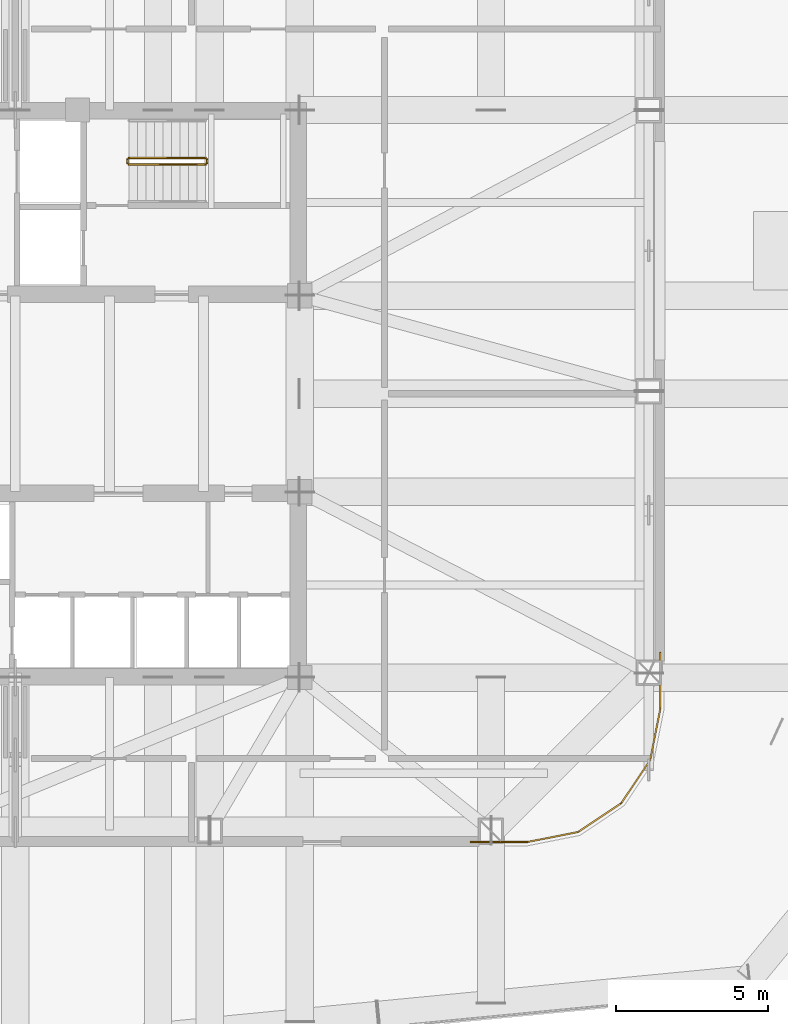
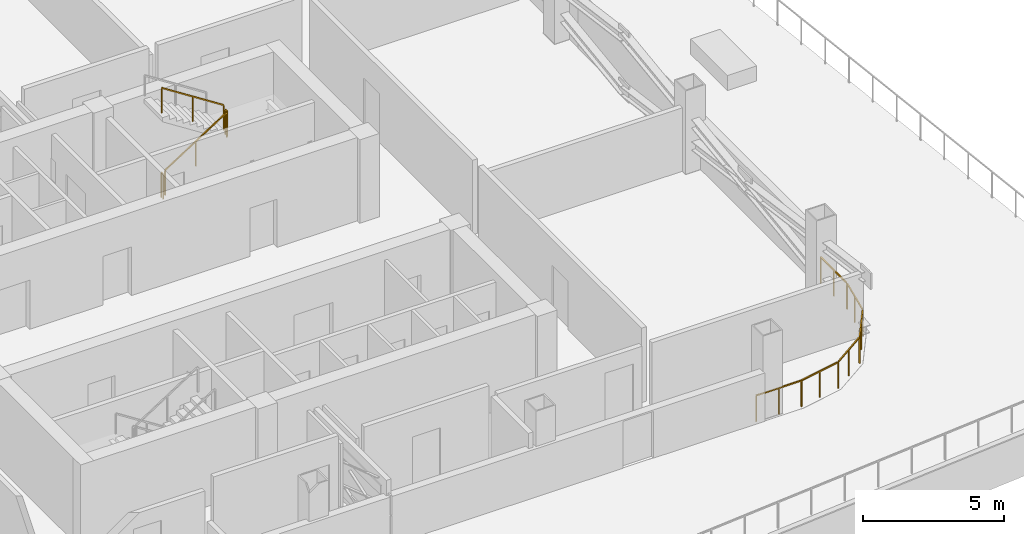
# One storey, part 14 of 15: 6 railings.
"""IFC4 building model written with IfcOpenShell, lengths in metres."""

import ifcopenshell
import ifcopenshell.guid

model = None  # the IFC model being written
_history = None  # IfcOwnerHistory: only IFC2X3 demands one
_inside = {}  # id of a spatial element -> (the spatial element, [elements in it])
_under = {}  # id of a project, library or spatial element -> (it, [spatial elements below it])
_declared = {}  # id of a project -> (the project, [libraries it declares])
_typed = {}  # id of a type object -> (the type object, [elements of that type])
_made_of = {}  # id of a material, layer set ... -> (it, [elements and type objects made of it])


def new_model(schema):
    """Start an empty IFC model of exactly this schema.

    Asked for "IFC4X3", IfcOpenShell would pick the latest addendum, in which some entities
    have other attributes; the version numbers below select the first issue.
    IFC2X3 requires an IfcOwnerHistory on every rooted entity: one is made here for all.
    """
    global model, _history
    if schema == "IFC4X3":
        model = ifcopenshell.file(schema_version=(4, 3, 0, 0))
    else:
        model = ifcopenshell.file(schema=schema)
    _inside.clear()
    _under.clear()
    _declared.clear()
    _typed.clear()
    _made_of.clear()
    _history = None
    if model.schema == "IFC2X3":
        org = make("IfcOrganization", Name="unknown")
        user = make(
            "IfcPersonAndOrganization",
            ThePerson=make("IfcPerson", FamilyName="unknown"),
            TheOrganization=org,
        )
        app = make(
            "IfcApplication",
            ApplicationDeveloper=org,
            Version="unknown",
            ApplicationFullName="unknown",
            ApplicationIdentifier="unknown",
        )
        _history = make(
            "IfcOwnerHistory",
            OwningUser=user,
            OwningApplication=app,
            ChangeAction="ADDED",
            CreationDate=0,
        )
    return model


def make(cls, **values):
    """One entity of the class cls with the attributes given. An attribute that is None is left unset."""
    return model.create_entity(
        cls, **{name: value for name, value in values.items() if value is not None}
    )


def rooted(cls, **values):
    """An entity with a GlobalId (a new one), such as an element, a storey or a relation."""
    return make(cls, GlobalId=ifcopenshell.guid.new(), OwnerHistory=_history, **values)


def si_unit(unit_type, name, prefix=None):
    """IfcSIUnit, for example si_unit("LENGTHUNIT", "METRE", prefix="MILLI")."""
    return make("IfcSIUnit", UnitType=unit_type, Prefix=prefix, Name=name)


def assignment(units):
    """IfcUnitAssignment: the units of a project."""
    return None if units is None else make("IfcUnitAssignment", Units=units)


def point(xyz):
    """IfcCartesianPoint."""
    return None if xyz is None else make("IfcCartesianPoint", Coordinates=xyz)


def direction(xyz):
    """IfcDirection."""
    return None if xyz is None else make("IfcDirection", DirectionRatios=xyz)


def frame(location, z_axis=None, x_axis=None):
    """IfcAxis2Placement3D, a coordinate frame: its origin and axes. An axis left out is left unset."""
    return make(
        "IfcAxis2Placement3D",
        Location=point(location),
        Axis=direction(z_axis),
        RefDirection=direction(x_axis),
    )


def frame_2d(location, x_axis=None):
    """IfcAxis2Placement2D, a coordinate frame in the plane: its origin and x axis."""
    return make(
        "IfcAxis2Placement2D", Location=point(location), RefDirection=direction(x_axis)
    )


def origin():
    """The frame at (0, 0, 0) with its axes left unset."""
    return frame((0.0, 0.0, 0.0))


def origin_2d():
    """The frame at (0, 0) in the plane with its x axis left unset."""
    return frame_2d((0.0, 0.0))


def place(relative_to, where):
    """IfcLocalPlacement: puts the frame where relative to a parent placement (None: the world)."""
    return make(
        "IfcLocalPlacement", PlacementRelTo=relative_to, RelativePlacement=where
    )


def context(
    kind, dimensions, precision=None, world=None, true_north=None, identifier=None
):
    """IfcGeometricRepresentationContext, for example the 3D "Model" context."""
    return make(
        "IfcGeometricRepresentationContext",
        ContextIdentifier=identifier,
        ContextType=kind,
        CoordinateSpaceDimension=dimensions,
        Precision=precision,
        WorldCoordinateSystem=world,
        TrueNorth=true_north,
    )


def subcontext(parent, identifier, kind, view, scale=None):
    """IfcGeometricRepresentationSubContext, for example "Body" below "Model"."""
    return make(
        "IfcGeometricRepresentationSubContext",
        ContextIdentifier=identifier,
        ContextType=kind,
        ParentContext=parent,
        TargetScale=scale,
        TargetView=view,
    )


def project(units=None, contexts=None):
    """IfcProject with its units and contexts."""
    return rooted(
        "IfcProject",
        Name="project",
        RepresentationContexts=contexts,
        UnitsInContext=assignment(units),
    )


def spatial(cls, under=None, at=None, **own):
    """A site, building, storey or space (cls), placed at a placement, below another one or the project."""
    s = rooted(cls, ObjectPlacement=at, **own)
    if under is not None:
        _under.setdefault(under.id(), (under, []))[1].append(s)
    return s


def profile(cls, at=None, kind="AREA", **sizes):
    """A parametric profile (cls). Its sizes go by their IFC names, for example OverallWidth=200.0."""
    return make(cls, ProfileType=kind, Position=at, **sizes)


def rectangle(**sizes):
    """IfcRectangleProfileDef."""
    return profile("IfcRectangleProfileDef", **sizes)


def extrude(swept, where, along, depth):
    """IfcExtrudedAreaSolid: the profile swept, set in the frame where, extruded along a direction by depth."""
    return make(
        "IfcExtrudedAreaSolid",
        SweptArea=swept,
        Position=where,
        ExtrudedDirection=direction(along),
        Depth=depth,
    )


def shape(context_of_items, identifier, shape_type, items):
    """IfcShapeRepresentation: the items that make up one representation, for example the "Body"."""
    return make(
        "IfcShapeRepresentation",
        ContextOfItems=context_of_items,
        RepresentationIdentifier=identifier,
        RepresentationType=shape_type,
        Items=items,
    )


def material(Name=None, Category=None):
    """IfcMaterial."""
    return make("IfcMaterial", Name=Name, Category=Category)


def made_of(thing, what):
    """Note that an element or type object is made of a material, layer set ...; save() writes the relation."""
    if what is not None:
        _made_of.setdefault(what.id(), (what, []))[1].append(thing)
    return thing


def type_object(cls, material=None, **own):
    """A type object (cls), such as IfcWallType, which elements share."""
    return made_of(rooted(cls, **own), material)


def element(
    cls,
    number,
    at=None,
    inside=None,
    cuts=None,
    type_object=None,
    material=None,
    context=None,
    identifier="Body",
    shape_type=None,
    held_by="IfcProductDefinitionShape",
    body=None,
    shapes=None,
    **own,
):
    """One element of the class cls, such as IfcWall. Its Tag is "e" and its number.

    at: its placement. inside: the storey or other place that contains it. cuts: it is an
    opening in that element (IfcRelVoidsElement). A single representation is given by context,
    identifier, shape_type and body (its items); several are given by shapes. held_by: the class
    of the entity that holds the representations. save() writes the other relations.
    """
    e = rooted(cls, Tag="e%d" % number, ObjectPlacement=at, **own)
    if body is not None:
        shapes = [shape(context, identifier, shape_type, body)]
    if shapes is not None:
        e.Representation = make(held_by, Representations=shapes)
    if inside is not None:
        _inside.setdefault(inside.id(), (inside, []))[1].append(e)
    if cuts is not None:
        rooted(
            "IfcRelVoidsElement", RelatingBuildingElement=cuts, RelatedOpeningElement=e
        )
    if type_object is not None:
        _typed.setdefault(type_object.id(), (type_object, []))[1].append(e)
    return made_of(e, material)


def aggregate(whole, parts):
    """IfcRelAggregates: a whole, such as a stair, and the parts it consists of."""
    return rooted("IfcRelAggregates", RelatingObject=whole, RelatedObjects=parts)


def save(model, path):
    """Write the relations noted so far, then the file.

    IfcRelAggregates (storeys below a building ...), IfcRelContainedInSpatialStructure (elements
    in a storey), IfcRelDefinesByType, IfcRelAssociatesMaterial and IfcRelDeclares: one each for
    every whole, place, type object, material and project.
    """
    for whole, parts in _under.values():
        aggregate(whole, parts)
    for where, things in _inside.values():
        rooted(
            "IfcRelContainedInSpatialStructure",
            RelatedElements=things,
            RelatingStructure=where,
        )
    for kind, things in _typed.values():
        rooted("IfcRelDefinesByType", RelatedObjects=things, RelatingType=kind)
    for what, things in _made_of.values():
        rooted("IfcRelAssociatesMaterial", RelatedObjects=things, RelatingMaterial=what)
    for by, libraries in _declared.values():
        rooted("IfcRelDeclares", RelatingContext=by, RelatedDefinitions=libraries)
    model.write(path)


model = new_model("IFC4")

# Units and contexts
model_context = context("Model", 3, precision=1e-05, world=origin(), true_north=direction((0.0, 1.0)))
body_context = subcontext(model_context, "Body", "Model", "MODEL_VIEW")
ifc_project = project(units=[si_unit("LENGTHUNIT", "METRE"), si_unit("AREAUNIT", "SQUARE_METRE"), si_unit("VOLUMEUNIT", "CUBIC_METRE"), si_unit("PLANEANGLEUNIT", "RADIAN"), si_unit("MASSUNIT", "GRAM", prefix="KILO")], contexts=[model_context])

# Site, building, storey
site_placement = place(None, origin())
site = spatial("IfcSite", under=ifc_project, at=site_placement, CompositionType="ELEMENT")
building_placement = place(site_placement, origin())
building = spatial("IfcBuilding", under=site, at=building_placement, Name="Qhalaya Broadcast Tower", CompositionType="ELEMENT")
storey_placement = place(building_placement, frame((0.0, 0.0, 101.25)))
storey = spatial("IfcBuildingStorey", under=building, at=storey_placement, Name="L29", CompositionType="ELEMENT", Elevation=101.25)

# Railings
ifc_material = material(Name="Powder-Coated Galvanised Steel", Category="steel")
railing_type_1 = type_object("IfcRailingType", Name="Stair Well & Landing Guardrail 1100", PredefinedType="GUARDRAIL", material=ifc_material)
railing_1_placement = place(storey_placement, frame((3.75, 8.14990234375, 0.179931640625)))
element("IfcRailing", 1, at=railing_1_placement, inside=storey, type_object=railing_type_1, Name="L29 ST-1 Stair Guard 1", PredefinedType="GUARDRAIL", context=body_context, shape_type="SweptSolid", body=[
    extrude(rectangle(XDim=0.048095703125, YDim=0.048095703125, at=origin_2d()), frame((0.0, 0.0, 1.076171875), z_axis=(0.841162588446, 0.0, 0.540782303519), x_axis=(0.0, 1.0, 0.0)), (0.0, 0.0, 1.0), 2.995849609375),
    extrude(rectangle(XDim=0.0419921875, YDim=0.0419921875, at=origin_2d()), origin(), (0.0, 0.0, 1.0), 1.050048828125),
    extrude(rectangle(XDim=0.0419921875, YDim=0.0419921875, at=origin_2d()), frame((1.260009765625, 0.0, 0.81005859375)), (0.0, 0.0, 1.0), 1.050048828125),
    extrude(rectangle(XDim=0.0419921875, YDim=0.0419921875, at=origin_2d()), frame((2.52001953125, 0.0, 1.6201171875)), (0.0, 0.0, 1.0), 1.050048828125),
])
railing_2_placement = place(storey_placement, frame((6.320068359375, 8.199951171875, 1.800048828125)))
element("IfcRailing", 2, at=railing_2_placement, inside=storey, type_object=railing_type_1, Name="L29 ST-1 Stair Guard 2", PredefinedType="GUARDRAIL", context=body_context, shape_type="SweptSolid", body=[
    extrude(rectangle(XDim=0.048095703125, YDim=0.048095703125, at=origin_2d()), frame((0.0, 0.0, 1.076171875), z_axis=(0.0, 1.0, 0.0), x_axis=(-1.0, 0.0, 0.0)), (0.0, 0.0, 1.0), 0.1201171875),
    extrude(rectangle(XDim=0.0419921875, YDim=0.0419921875, at=origin_2d()), origin(), (0.0, 0.0, 1.0), 1.050048828125),
    extrude(rectangle(XDim=0.0419921875, YDim=0.0419921875, at=origin_2d()), frame((0.0, 0.1201171875, 0.0)), (0.0, 0.0, 1.0), 1.050048828125),
])
railing_3_placement = place(storey_placement, frame((6.27001953125, 8.3701171875, 1.97998046875)))
element("IfcRailing", 3, at=railing_3_placement, inside=storey, type_object=railing_type_1, Name="L29 ST-1 Stair Guard 3", PredefinedType="GUARDRAIL", context=body_context, shape_type="SweptSolid", body=[
    extrude(rectangle(XDim=0.048095703125, YDim=0.048095703125, at=origin_2d()), frame((0.0, 0.0, 1.076171875), z_axis=(-0.841162588446, 0.0, 0.540782303519), x_axis=(0.0, -1.0, 0.0)), (0.0, 0.0, 1.0), 2.995849609375),
    extrude(rectangle(XDim=0.0419921875, YDim=0.0419921875, at=origin_2d()), origin(), (0.0, 0.0, 1.0), 1.050048828125),
    extrude(rectangle(XDim=0.0419921875, YDim=0.0419921875, at=origin_2d()), frame((-1.260009765625, 0.0, 0.81005859375)), (0.0, 0.0, 1.0), 1.050048828125),
    extrude(rectangle(XDim=0.0419921875, YDim=0.0419921875, at=origin_2d()), frame((-2.52001953125, 0.0, 1.6201171875)), (0.0, 0.0, 1.0), 1.050048828125),
])
railing_4_placement = place(storey_placement, frame((3.699951171875, 8.199951171875, 0.0)))
element("IfcRailing", 4, at=railing_4_placement, inside=storey, type_object=railing_type_1, Name="L29 ST-1 Stair Guard 4", PredefinedType="GUARDRAIL", context=body_context, shape_type="SweptSolid", body=[
    extrude(rectangle(XDim=0.048095703125, YDim=0.048095703125, at=origin_2d()), frame((0.0, 0.0, 1.076171875), z_axis=(0.0, 1.0, 0.0), x_axis=(-1.0, 0.0, 0.0)), (0.0, 0.0, 1.0), 0.1201171875),
    extrude(rectangle(XDim=0.0419921875, YDim=0.0419921875, at=origin_2d()), origin(), (0.0, 0.0, 1.0), 1.050048828125),
    extrude(rectangle(XDim=0.0419921875, YDim=0.0419921875, at=origin_2d()), frame((0.0, 0.1201171875, 0.0)), (0.0, 0.0, 1.0), 1.050048828125),
])
railing_type_2 = type_object("IfcRailingType", Name="Terrace, Sky-Pool & Lookout Glass Balustrade 1150", PredefinedType="BALUSTRADE", material=ifc_material)
railing_5_placement = place(storey_placement, frame((16.858154296875, -14.169921875, 0.0)))
element("IfcRailing", 5, at=railing_5_placement, inside=storey, type_object=railing_type_2, Name="L29 Rounded Corner Perimeter Guard 01", PredefinedType="BALUSTRADE", context=body_context, shape_type="SweptSolid", body=[
    extrude(rectangle(XDim=0.048095703125, YDim=0.048095703125, at=origin_2d()), frame((0.0, 0.0, 1.1259765625), z_axis=(-1.0, 0.0, 0.0), x_axis=(0.0, -1.0, 0.0)), (0.0, 0.0, 1.0), 1.856201171875),
    extrude(rectangle(XDim=0.0419921875, YDim=0.0419921875, at=origin_2d()), origin(), (0.0, 0.0, 1.0), 1.099853515625),
    extrude(rectangle(XDim=0.0419921875, YDim=0.0419921875, at=origin_2d()), frame((-0.92822265625, 0.0, 0.0)), (0.0, 0.0, 1.0), 1.099853515625),
    extrude(rectangle(XDim=0.0419921875, YDim=0.0419921875, at=origin_2d()), frame((-1.856201171875, 0.0, 0.0)), (0.0, 0.0, 1.0), 1.099853515625),
])
railing_6_placement = place(storey_placement, frame((21.25, -7.922119140625, 0.0)))
element("IfcRailing", 6, at=railing_6_placement, inside=storey, type_object=railing_type_2, Name="L29 Rounded Corner Perimeter Guard 05", PredefinedType="BALUSTRADE", context=body_context, shape_type="SweptSolid", body=[
    extrude(rectangle(XDim=0.048095703125, YDim=0.048095703125, at=origin_2d()), frame((0.0, 0.0, 1.1259765625), z_axis=(0.0, -1.0, 0.0), x_axis=(1.0, 0.0, 0.0)), (0.0, 0.0, 1.0), 1.827392578125),
    extrude(rectangle(XDim=0.048095703125, YDim=0.048095703125, at=origin_2d()), frame((-0.005615234375, -1.884521484375, 1.1259765625), z_axis=(-0.195024175165, -0.980798435511, 0.0), x_axis=(0.980798435511, -0.195024175165, 0.0)), (0.0, 0.0, 1.0), 1.662353515625),
    extrude(rectangle(XDim=0.048095703125, YDim=0.048095703125, at=origin_2d()), frame((-0.3515625, -3.567138671875, 1.1259765625), z_axis=(-0.555590476887, -0.831456085426, 0.0), x_axis=(0.831456085426, -0.555590476887, 0.0)), (0.0, 0.0, 1.0), 1.650390625),
    extrude(rectangle(XDim=0.048095703125, YDim=0.048095703125, at=origin_2d()), frame((-1.308349609375, -4.9794921875, 1.1259765625), z_axis=(-0.831456085426, -0.555590476887, 0.0), x_axis=(0.555590476887, -0.831456085426, 0.0)), (0.0, 0.0, 1.0), 1.650390625),
    extrude(rectangle(XDim=0.048095703125, YDim=0.048095703125, at=origin_2d()), frame((-2.73291015625, -5.91796875, 1.1259765625), z_axis=(-0.980803832953, -0.194997028864, 0.0), x_axis=(0.194997028864, -0.980803832953, 0.0)), (0.0, 0.0, 1.0), 1.69140625),
    extrude(rectangle(XDim=0.0419921875, YDim=0.0419921875, at=origin_2d()), origin(), (0.0, 0.0, 1.0), 1.099853515625),
    extrude(rectangle(XDim=0.0419921875, YDim=0.0419921875, at=origin_2d()), frame((0.0, -0.92822265625, 0.0)), (0.0, 0.0, 1.0), 1.099853515625),
    extrude(rectangle(XDim=0.0419921875, YDim=0.0419921875, at=origin_2d()), frame((0.0, -1.856201171875, 0.0)), (0.0, 0.0, 1.0), 1.099853515625),
    extrude(rectangle(XDim=0.0419921875, YDim=0.0419921875, at=origin_2d()), frame((-0.167724609375, -2.69970703125, 0.0)), (0.0, 0.0, 1.0), 1.099853515625),
    extrude(rectangle(XDim=0.0419921875, YDim=0.0419921875, at=origin_2d()), frame((-0.33544921875, -3.543212890625, 0.0)), (0.0, 0.0, 1.0), 1.099853515625),
    extrude(rectangle(XDim=0.0419921875, YDim=0.0419921875, at=origin_2d()), frame((-0.81005859375, -4.25341796875, 0.0)), (0.0, 0.0, 1.0), 1.099853515625),
    extrude(rectangle(XDim=0.0419921875, YDim=0.0419921875, at=origin_2d()), frame((-1.284423828125, -4.96337890625, 0.0)), (0.0, 0.0, 1.0), 1.099853515625),
    extrude(rectangle(XDim=0.0419921875, YDim=0.0419921875, at=origin_2d()), frame((-1.99462890625, -5.43798828125, 0.0)), (0.0, 0.0, 1.0), 1.099853515625),
    extrude(rectangle(XDim=0.0419921875, YDim=0.0419921875, at=origin_2d()), frame((-2.70458984375, -5.912353515625, 0.0)), (0.0, 0.0, 1.0), 1.099853515625),
    extrude(rectangle(XDim=0.0419921875, YDim=0.0419921875, at=origin_2d()), frame((-3.54833984375, -6.080078125, 0.0)), (0.0, 0.0, 1.0), 1.099853515625),
    extrude(rectangle(XDim=0.0419921875, YDim=0.0419921875, at=origin_2d()), frame((-4.391845703125, -6.247802734375, 0.0)), (0.0, 0.0, 1.0), 1.099853515625),
])

save(model, "model.ifc")
